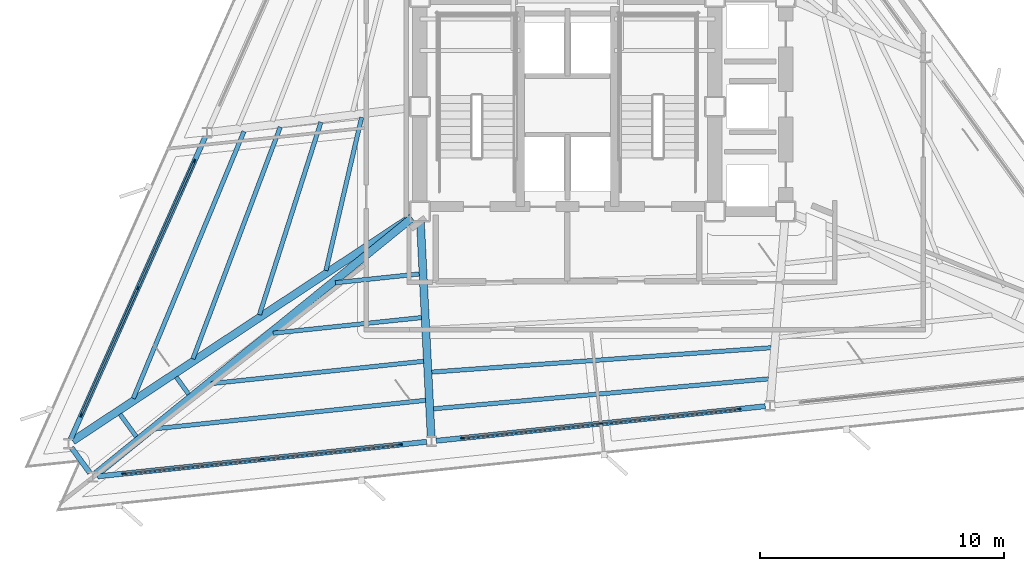
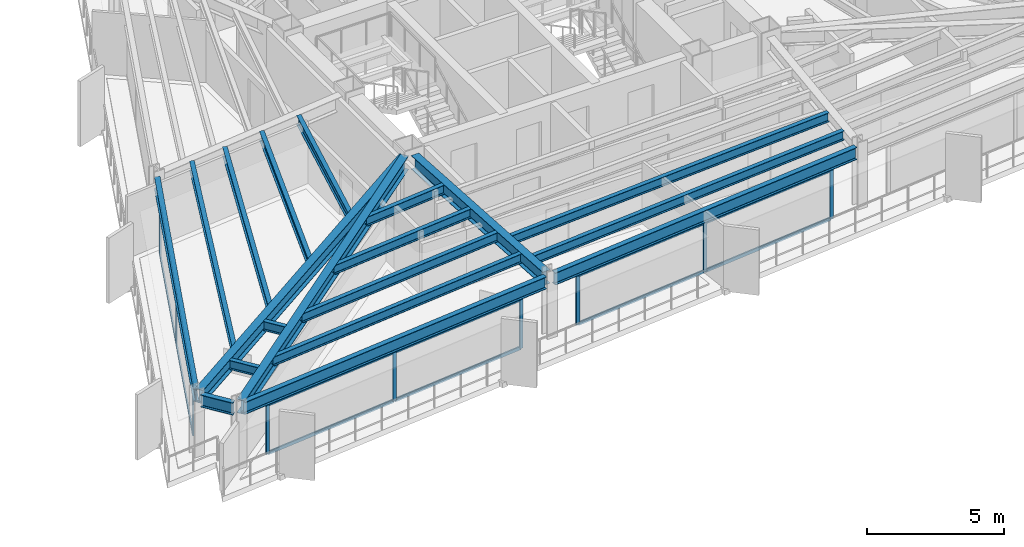
# One storey, part 2 of 12: 21 members, 19 beams, 3 elements without a shape of their own.
"""IFC4 building model written with IfcOpenShell, lengths in metres."""

from ifc_helpers import new_model, si_unit, direction, frame, origin, origin_2d, place, context, subcontext, project, spatial, rectangle, i_section, extrude, material, layer, layer_set, material_profile, profile_set, type_object, element, aggregate, save


model = new_model("IFC4")

# Units and contexts
model_context = context("Model", 3, precision=1e-05, world=origin(), true_north=direction((0.0, 1.0)))
body_context = subcontext(model_context, "Body", "Model", "MODEL_VIEW")
ifc_project = project(units=[si_unit("LENGTHUNIT", "METRE"), si_unit("AREAUNIT", "SQUARE_METRE"), si_unit("VOLUMEUNIT", "CUBIC_METRE"), si_unit("PLANEANGLEUNIT", "RADIAN"), si_unit("MASSUNIT", "GRAM", prefix="KILO")], contexts=[model_context])

# Site, building, storey
site_placement = place(None, origin())
site = spatial("IfcSite", under=ifc_project, at=site_placement, CompositionType="ELEMENT")
building_placement = place(site_placement, origin())
building = spatial("IfcBuilding", under=site, at=building_placement, Name="Rocaltana Carrier Exchange", CompositionType="ELEMENT")
storey_placement = place(building_placement, frame((0.0, 0.0, 107.679931640625)))
storey = spatial("IfcBuildingStorey", under=building, at=storey_placement, Name="L33", CompositionType="ELEMENT", Elevation=107.679931640625)

# Curtain wall, members
ifc_material_1 = material(Name="Aluminium 6063-T6", Category="aluminium")
ifc_layer = layer(ifc_material_1, 0.14990234375)
ifc_layer_set = layer_set([ifc_layer], Name="Aluminium 6063-T6")
curtain_wall_type = type_object("IfcCurtainWallType", Name="Mid-Tower Unitised Curtain Wall CW-03", PredefinedType="NOTDEFINED", material=ifc_layer_set)
curtain_wall_1_placement = place(storey_placement, origin())
curtain_wall_1 = element("IfcCurtainWall", 1, at=curtain_wall_1_placement, inside=storey, type_object=curtain_wall_type, Name="L33 CW-03 Run CW-L33-F2S3", PredefinedType="NOTDEFINED")
ifc_material_2 = material(Name="Aluminium 6063-T6", Category="aluminium")
ifc_material_profile_1 = material_profile(ifc_material_2, rectangle(XDim=0.06005859375, YDim=0.14990234375, at=origin_2d()), Name="AL-60X150")
ifc_profile_set_1 = profile_set([ifc_material_profile_1], Name="Aluminium 6063-T6")
member_type_1 = type_object("IfcMemberType", Name="CW-03 Mullion AL-60X150", PredefinedType="MULLION", material=ifc_profile_set_1)
member_1_placement = place(storey_placement, frame((-15.299560546875, -2.2333984375, 0.0), z_axis=(0.0, 0.0, 1.0), x_axis=(0.913547031517, -0.406733108077, 0.0)))
member_1 = element("IfcMember", 2, at=member_1_placement, type_object=member_type_1, Name="CW-03 mullion 1", PredefinedType="MULLION", context=body_context, shape_type="SweptSolid", body=[
    extrude(rectangle(XDim=0.06005859375, YDim=0.14990234375, at=origin_2d()), origin(), (0.0, 0.0, 1.0), 2.218017578125),
])
member_2_placement = place(storey_placement, frame((-17.619140625, -7.44384765625, 0.0), z_axis=(0.0, 0.0, 1.0), x_axis=(0.913547031517, -0.406733108077, 0.0)))
member_2 = element("IfcMember", 3, at=member_2_placement, type_object=member_type_1, Name="CW-03 mullion 2", PredefinedType="MULLION", context=body_context, shape_type="SweptSolid", body=[
    extrude(rectangle(XDim=0.06005859375, YDim=0.14990234375, at=origin_2d()), origin(), (0.0, 0.0, 1.0), 2.218017578125),
])
member_3_placement = place(storey_placement, frame((-19.93896484375, -12.654052734375, 0.0), z_axis=(0.0, 0.0, 1.0), x_axis=(0.913547031517, -0.406733108077, 0.0)))
member_3 = element("IfcMember", 4, at=member_3_placement, type_object=member_type_1, Name="CW-03 mullion 3", PredefinedType="MULLION", context=body_context, shape_type="SweptSolid", body=[
    extrude(rectangle(XDim=0.06005859375, YDim=0.14990234375, at=origin_2d()), origin(), (0.0, 0.0, 1.0), 2.218017578125),
])

curtain_wall_2_placement = place(storey_placement, origin())
curtain_wall_2 = element("IfcCurtainWall", 5, at=curtain_wall_2_placement, inside=storey, type_object=curtain_wall_type, Name="L33 CW-03 Run CW-L33-F3S1", PredefinedType="NOTDEFINED")
member_4_placement = place(storey_placement, frame((-18.196044921875, -15.052734375, 0.0), z_axis=(0.0, 0.0, 1.0), x_axis=(-0.104521806959, 0.994522594952, 0.0)))
member_4 = element("IfcMember", 6, at=member_4_placement, type_object=member_type_1, Name="CW-03 mullion 1", PredefinedType="MULLION", context=body_context, shape_type="SweptSolid", body=[
    extrude(rectangle(XDim=0.06005859375, YDim=0.14990234375, at=origin_2d()), origin(), (0.0, 0.0, 1.0), 2.218017578125),
])
member_5_placement = place(storey_placement, frame((-12.524169921875, -14.45654296875, 0.0), z_axis=(0.0, 0.0, 1.0), x_axis=(-0.104521806959, 0.994522594952, 0.0)))
member_5 = element("IfcMember", 7, at=member_5_placement, type_object=member_type_1, Name="CW-03 mullion 2", PredefinedType="MULLION", context=body_context, shape_type="SweptSolid", body=[
    extrude(rectangle(XDim=0.06005859375, YDim=0.14990234375, at=origin_2d()), origin(), (0.0, 0.0, 1.0), 2.218017578125),
])
member_6_placement = place(storey_placement, frame((-6.85205078125, -13.860595703125, 0.0), z_axis=(0.0, 0.0, 1.0), x_axis=(-0.104521806959, 0.994522594952, 0.0)))
member_6 = element("IfcMember", 8, at=member_6_placement, type_object=member_type_1, Name="CW-03 mullion 3", PredefinedType="MULLION", context=body_context, shape_type="SweptSolid", body=[
    extrude(rectangle(XDim=0.06005859375, YDim=0.14990234375, at=origin_2d()), origin(), (0.0, 0.0, 1.0), 2.218017578125),
])

curtain_wall_3_placement = place(storey_placement, origin())
curtain_wall_3 = element("IfcCurtainWall", 9, at=curtain_wall_3_placement, inside=storey, type_object=curtain_wall_type, Name="L33 CW-03 Run CW-L33-F3S2", PredefinedType="NOTDEFINED")
member_7_placement = place(storey_placement, frame((-4.30615234375, -13.5927734375, 0.0), z_axis=(0.0, 0.0, 1.0), x_axis=(-0.104529526113, 0.994521783658, 0.0)))
member_7 = element("IfcMember", 10, at=member_7_placement, type_object=member_type_1, Name="CW-03 mullion 1", PredefinedType="MULLION", context=body_context, shape_type="SweptSolid", body=[
    extrude(rectangle(XDim=0.06005859375, YDim=0.14990234375, at=origin_2d()), origin(), (0.0, 0.0, 1.0), 2.218017578125),
])
member_8_placement = place(storey_placement, frame((1.365966796875, -12.99658203125, 0.0), z_axis=(0.0, 0.0, 1.0), x_axis=(-0.104529526113, 0.994521783658, 0.0)))
member_8 = element("IfcMember", 11, at=member_8_placement, type_object=member_type_1, Name="CW-03 mullion 2", PredefinedType="MULLION", context=body_context, shape_type="SweptSolid", body=[
    extrude(rectangle(XDim=0.06005859375, YDim=0.14990234375, at=origin_2d()), origin(), (0.0, 0.0, 1.0), 2.218017578125),
])
member_9_placement = place(storey_placement, frame((7.0380859375, -12.400634765625, 0.0), z_axis=(0.0, 0.0, 1.0), x_axis=(-0.104529526113, 0.994521783658, 0.0)))
member_9 = element("IfcMember", 12, at=member_9_placement, type_object=member_type_1, Name="CW-03 mullion 3", PredefinedType="MULLION", context=body_context, shape_type="SweptSolid", body=[
    extrude(rectangle(XDim=0.06005859375, YDim=0.14990234375, at=origin_2d()), origin(), (0.0, 0.0, 1.0), 2.218017578125),
])

# Member
ifc_material_3 = material(Name="Aluminium 6063-T6", Category="aluminium")
ifc_material_profile_2 = material_profile(ifc_material_3, rectangle(XDim=0.06005859375, YDim=0.14990234375, at=origin_2d()), Name="AL-60X150")
ifc_profile_set_2 = profile_set([ifc_material_profile_2], Name="Aluminium 6063-T6")
member_type_2 = type_object("IfcMemberType", Name="CW-03 Transom AL-60X150", PredefinedType="USERDEFINED", material=ifc_profile_set_2)
member_10_placement = place(storey_placement, frame((-15.311767578125, -2.260986328125, 0.030029296875), z_axis=(-0.406704359788, -0.913559830405, 0.0), x_axis=(0.913559830405, -0.406704359788, 0.0)))
member_10 = element("IfcMember", 13, at=member_10_placement, type_object=member_type_2, Name="CW-03 transom 1.1", ObjectType="TRANSOM", PredefinedType="USERDEFINED", context=body_context, shape_type="SweptSolid", body=[
    extrude(rectangle(XDim=0.06005859375, YDim=0.14990234375, at=origin_2d()), origin(), (0.0, 0.0, 1.0), 5.643310546875),
])

member_11_placement = place(storey_placement, frame((-15.311767578125, -2.260986328125, 2.18798828125), z_axis=(-0.406704359788, -0.913559830405, 0.0), x_axis=(0.913559830405, -0.406704359788, 0.0)))
member_11 = element("IfcMember", 14, at=member_11_placement, type_object=member_type_2, Name="CW-03 transom 1.2", ObjectType="TRANSOM", PredefinedType="USERDEFINED", context=body_context, shape_type="SweptSolid", body=[
    extrude(rectangle(XDim=0.06005859375, YDim=0.14990234375, at=origin_2d()), origin(), (0.0, 0.0, 1.0), 5.643310546875),
])

member_12_placement = place(storey_placement, frame((-17.63134765625, -7.47119140625, 0.030029296875), z_axis=(-0.406740464784, -0.913543756099, 0.0), x_axis=(0.913543756099, -0.406740464784, 0.0)))
member_12 = element("IfcMember", 15, at=member_12_placement, type_object=member_type_2, Name="CW-03 transom 2.1", ObjectType="TRANSOM", PredefinedType="USERDEFINED", context=body_context, shape_type="SweptSolid", body=[
    extrude(rectangle(XDim=0.06005859375, YDim=0.14990234375, at=origin_2d()), origin(), (0.0, 0.0, 1.0), 5.643310546875),
])

member_13_placement = place(storey_placement, frame((-17.63134765625, -7.47119140625, 2.18798828125), z_axis=(-0.406740464784, -0.913543756099, 0.0), x_axis=(0.913543756099, -0.406740464784, 0.0)))
member_13 = element("IfcMember", 16, at=member_13_placement, type_object=member_type_2, Name="CW-03 transom 2.2", ObjectType="TRANSOM", PredefinedType="USERDEFINED", context=body_context, shape_type="SweptSolid", body=[
    extrude(rectangle(XDim=0.06005859375, YDim=0.14990234375, at=origin_2d()), origin(), (0.0, 0.0, 1.0), 5.643310546875),
])

aggregate(curtain_wall_1, [member_1, member_2, member_3, member_10, member_11, member_12, member_13])

member_14_placement = place(storey_placement, frame((-18.166259765625, -15.049560546875, 0.030029296875), z_axis=(0.99452250772, 0.104522636969, 0.0), x_axis=(-0.104522636969, 0.99452250772, 0.0)))
member_14 = element("IfcMember", 17, at=member_14_placement, type_object=member_type_2, Name="CW-03 transom 1.1", ObjectType="TRANSOM", PredefinedType="USERDEFINED", context=body_context, shape_type="SweptSolid", body=[
    extrude(rectangle(XDim=0.06005859375, YDim=0.14990234375, at=origin_2d()), origin(), (0.0, 0.0, 1.0), 5.643310546875),
])

member_15_placement = place(storey_placement, frame((-18.166259765625, -15.049560546875, 2.18798828125), z_axis=(0.99452250772, 0.104522636969, 0.0), x_axis=(-0.104522636969, 0.99452250772, 0.0)))
member_15 = element("IfcMember", 18, at=member_15_placement, type_object=member_type_2, Name="CW-03 transom 1.2", ObjectType="TRANSOM", PredefinedType="USERDEFINED", context=body_context, shape_type="SweptSolid", body=[
    extrude(rectangle(XDim=0.06005859375, YDim=0.14990234375, at=origin_2d()), origin(), (0.0, 0.0, 1.0), 5.643310546875),
])

member_16_placement = place(storey_placement, frame((-12.494384765625, -14.45361328125, 0.030029296875), z_axis=(0.99452250772, 0.104522636969, 0.0), x_axis=(-0.104522636969, 0.99452250772, 0.0)))
member_16 = element("IfcMember", 19, at=member_16_placement, type_object=member_type_2, Name="CW-03 transom 2.1", ObjectType="TRANSOM", PredefinedType="USERDEFINED", context=body_context, shape_type="SweptSolid", body=[
    extrude(rectangle(XDim=0.06005859375, YDim=0.14990234375, at=origin_2d()), origin(), (0.0, 0.0, 1.0), 5.643310546875),
])

member_17_placement = place(storey_placement, frame((-12.494384765625, -14.45361328125, 2.18798828125), z_axis=(0.99452250772, 0.104522636969, 0.0), x_axis=(-0.104522636969, 0.99452250772, 0.0)))
member_17 = element("IfcMember", 20, at=member_17_placement, type_object=member_type_2, Name="CW-03 transom 2.2", ObjectType="TRANSOM", PredefinedType="USERDEFINED", context=body_context, shape_type="SweptSolid", body=[
    extrude(rectangle(XDim=0.06005859375, YDim=0.14990234375, at=origin_2d()), origin(), (0.0, 0.0, 1.0), 5.643310546875),
])

aggregate(curtain_wall_2, [member_4, member_5, member_6, member_14, member_15, member_16, member_17])

member_18_placement = place(storey_placement, frame((-4.276123046875, -13.58984375, 0.030029296875), z_axis=(0.994518009659, 0.104565426716, 0.0), x_axis=(-0.104565426716, 0.994518009659, 0.0)))
member_18 = element("IfcMember", 21, at=member_18_placement, type_object=member_type_2, Name="CW-03 transom 1.1", ObjectType="TRANSOM", PredefinedType="USERDEFINED", context=body_context, shape_type="SweptSolid", body=[
    extrude(rectangle(XDim=0.06005859375, YDim=0.14990234375, at=origin_2d()), origin(), (0.0, 0.0, 1.0), 5.643310546875),
])

member_19_placement = place(storey_placement, frame((-4.276123046875, -13.58984375, 2.18798828125), z_axis=(0.994518009659, 0.104565426716, 0.0), x_axis=(-0.104565426716, 0.994518009659, 0.0)))
member_19 = element("IfcMember", 22, at=member_19_placement, type_object=member_type_2, Name="CW-03 transom 1.2", ObjectType="TRANSOM", PredefinedType="USERDEFINED", context=body_context, shape_type="SweptSolid", body=[
    extrude(rectangle(XDim=0.06005859375, YDim=0.14990234375, at=origin_2d()), origin(), (0.0, 0.0, 1.0), 5.643310546875),
])

member_20_placement = place(storey_placement, frame((1.395751953125, -12.99365234375, 0.030029296875), z_axis=(0.994518482657, 0.104560927947, 0.0), x_axis=(-0.104560927947, 0.994518482657, 0.0)))
member_20 = element("IfcMember", 23, at=member_20_placement, type_object=member_type_2, Name="CW-03 transom 2.1", ObjectType="TRANSOM", PredefinedType="USERDEFINED", context=body_context, shape_type="SweptSolid", body=[
    extrude(rectangle(XDim=0.06005859375, YDim=0.14990234375, at=origin_2d()), origin(), (0.0, 0.0, 1.0), 5.6435546875),
])

member_21_placement = place(storey_placement, frame((1.395751953125, -12.99365234375, 2.18798828125), z_axis=(0.994518482657, 0.104560927947, 0.0), x_axis=(-0.104560927947, 0.994518482657, 0.0)))
member_21 = element("IfcMember", 24, at=member_21_placement, type_object=member_type_2, Name="CW-03 transom 2.2", ObjectType="TRANSOM", PredefinedType="USERDEFINED", context=body_context, shape_type="SweptSolid", body=[
    extrude(rectangle(XDim=0.06005859375, YDim=0.14990234375, at=origin_2d()), origin(), (0.0, 0.0, 1.0), 5.6435546875),
])

aggregate(curtain_wall_3, [member_7, member_8, member_9, member_18, member_19, member_20, member_21])

# Beams
ifc_material_4 = material(Name="Steel S355", Category="steel")
ifc_material_profile_3 = material_profile(ifc_material_4, i_section(OverallWidth=0.179931640625, OverallDepth=0.4130859375, WebThickness=0.009765625, FlangeThickness=0.01611328125, FilletRadius=0.012939453125, at=origin_2d()), Name="W16X50")
ifc_profile_set_3 = profile_set([ifc_material_profile_3], Name="Steel S355")
beam_type_1 = type_object("IfcBeamType", Name="Floor Joist W16X50", PredefinedType="JOIST", material=ifc_profile_set_3)
beam_1_placement = place(storey_placement, frame((-8.442138671875, -0.439208984375, 2.58154296875), z_axis=(-0.22689687838, -0.973918788494, 0.0), x_axis=(0.973918788494, -0.22689687838, 0.0)))
element("IfcBeam", 25, at=beam_1_placement, inside=storey, type_object=beam_type_1, Name="FJ-L33-07-1", PredefinedType="JOIST", context=body_context, shape_type="SweptSolid", body=[
    extrude(i_section(OverallWidth=0.179931640625, OverallDepth=0.4130859375, WebThickness=0.009765625, FlangeThickness=0.01611328125, FilletRadius=0.012939453125, at=origin_2d()), origin(), (0.0, 0.0, 1.0), 6.448486328125),
])
beam_2_placement = place(storey_placement, frame((-10.11279296875, -0.63818359375, 2.58154296875), z_axis=(-0.303932068728, -0.952693706077, 0.0), x_axis=(0.952693706077, -0.303932068728, 0.0)))
element("IfcBeam", 26, at=beam_2_placement, inside=storey, type_object=beam_type_1, Name="FJ-L33-07-2", PredefinedType="JOIST", context=body_context, shape_type="SweptSolid", body=[
    extrude(i_section(OverallWidth=0.179931640625, OverallDepth=0.4130859375, WebThickness=0.009765625, FlangeThickness=0.01611328125, FilletRadius=0.012939453125, at=origin_2d()), origin(), (0.0, 0.0, 1.0), 8.285888671875),
])
beam_3_placement = place(storey_placement, frame((-11.77880859375, -0.837646484375, 2.58154296875), z_axis=(-0.352616248734, -0.935768016727, 0.0), x_axis=(0.935768016727, -0.352616248734, 0.0)))
element("IfcBeam", 27, at=beam_3_placement, inside=storey, type_object=beam_type_1, Name="FJ-L33-07-3", PredefinedType="JOIST", context=body_context, shape_type="SweptSolid", body=[
    extrude(i_section(OverallWidth=0.179931640625, OverallDepth=0.4130859375, WebThickness=0.009765625, FlangeThickness=0.01611328125, FilletRadius=0.012939453125, at=origin_2d()), origin(), (0.0, 0.0, 1.0), 10.1591796875),
])
beam_4_placement = place(storey_placement, frame((-13.267333984375, -1.016845703125, 2.58154296875), z_axis=(-0.382964861888, -0.923762910361, 0.0), x_axis=(0.923762910361, -0.382964861888, 0.0)))
element("IfcBeam", 28, at=beam_4_placement, inside=storey, type_object=beam_type_1, Name="FJ-L33-07-4", PredefinedType="JOIST", context=body_context, shape_type="SweptSolid", body=[
    extrude(i_section(OverallWidth=0.179931640625, OverallDepth=0.4130859375, WebThickness=0.009765625, FlangeThickness=0.01611328125, FilletRadius=0.012939453125, at=origin_2d()), origin(), (0.0, 0.0, 1.0), 11.851806640625),
])
beam_5_placement = place(storey_placement, frame((-16.044921875, -11.092529296875, 2.58154296875), z_axis=(0.587636081789, -0.80912535208, 0.0), x_axis=(0.80912535208, 0.587636081789, 0.0)))
element("IfcBeam", 29, at=beam_5_placement, inside=storey, type_object=beam_type_1, Name="FJ-L33-08-3", PredefinedType="JOIST", context=body_context, shape_type="SweptSolid", body=[
    extrude(i_section(OverallWidth=0.179931640625, OverallDepth=0.4130859375, WebThickness=0.009765625, FlangeThickness=0.01611328125, FilletRadius=0.012939453125, at=origin_2d()), origin(), (0.0, 0.0, 1.0), 0.867431640625),
])
beam_6_placement = place(storey_placement, frame((-18.3505859375, -12.6162109375, 2.58154296875), z_axis=(0.587737652756, -0.809051575323, 0.0), x_axis=(0.809051575323, 0.587737652756, 0.0)))
element("IfcBeam", 30, at=beam_6_placement, inside=storey, type_object=beam_type_1, Name="FJ-L33-08-4", PredefinedType="JOIST", context=body_context, shape_type="SweptSolid", body=[
    extrude(i_section(OverallWidth=0.179931640625, OverallDepth=0.4130859375, WebThickness=0.009765625, FlangeThickness=0.01611328125, FilletRadius=0.012939453125, at=origin_2d()), origin(), (0.0, 0.0, 1.0), 1.137451171875),
])
beam_7_placement = place(storey_placement, frame((-9.51806640625, -7.22314453125, 2.58154296875), z_axis=(0.994522069836, 0.104526803309, 0.0), x_axis=(-0.104526803309, 0.994522069836, 0.0)))
element("IfcBeam", 31, at=beam_7_placement, inside=storey, type_object=beam_type_1, Name="FJ-L33-09-1", PredefinedType="JOIST", context=body_context, shape_type="SweptSolid", body=[
    extrude(i_section(OverallWidth=0.179931640625, OverallDepth=0.4130859375, WebThickness=0.009765625, FlangeThickness=0.01611328125, FilletRadius=0.012939453125, at=origin_2d()), origin(), (0.0, 0.0, 1.0), 3.459228515625),
])
beam_8_placement = place(storey_placement, frame((-12.067626953125, -9.29150390625, 2.58154296875), z_axis=(0.994522291709, 0.104524692265, 0.0), x_axis=(-0.104524692265, 0.994522291709, 0.0)))
element("IfcBeam", 32, at=beam_8_placement, inside=storey, type_object=beam_type_1, Name="FJ-L33-09-2", PredefinedType="JOIST", context=body_context, shape_type="SweptSolid", body=[
    extrude(i_section(OverallWidth=0.179931640625, OverallDepth=0.4130859375, WebThickness=0.009765625, FlangeThickness=0.01611328125, FilletRadius=0.012939453125, at=origin_2d()), origin(), (0.0, 0.0, 1.0), 6.112548828125),
])
beam_9_placement = place(storey_placement, frame((-14.6171875, -11.360107421875, 2.58154296875), z_axis=(0.994519483766, 0.104551405586, 0.0), x_axis=(-0.104551405586, 0.994519483766, 0.0)))
element("IfcBeam", 33, at=beam_9_placement, inside=storey, type_object=beam_type_1, Name="FJ-L33-09-3", PredefinedType="JOIST", context=body_context, shape_type="SweptSolid", body=[
    extrude(i_section(OverallWidth=0.179931640625, OverallDepth=0.4130859375, WebThickness=0.009765625, FlangeThickness=0.01611328125, FilletRadius=0.012939453125, at=origin_2d()), origin(), (0.0, 0.0, 1.0), 8.76611328125),
])
beam_10_placement = place(storey_placement, frame((-16.898681640625, -13.210693359375, 2.58154296875), z_axis=(0.994521531783, 0.104531922494, 0.0), x_axis=(-0.104531922494, 0.994521531783, 0.0)))
element("IfcBeam", 34, at=beam_10_placement, inside=storey, type_object=beam_type_1, Name="FJ-L33-09-4", PredefinedType="JOIST", context=body_context, shape_type="SweptSolid", body=[
    extrude(i_section(OverallWidth=0.179931640625, OverallDepth=0.4130859375, WebThickness=0.009765625, FlangeThickness=0.01611328125, FilletRadius=0.012939453125, at=origin_2d()), origin(), (0.0, 0.0, 1.0), 11.140625),
])
beam_11_placement = place(storey_placement, frame((-5.564697265625, -10.887451171875, 2.58154296875), z_axis=(0.99742902588, 0.071661274976, 0.0), x_axis=(-0.071661274976, 0.99742902588, 0.0)))
element("IfcBeam", 35, at=beam_11_placement, inside=storey, type_object=beam_type_1, Name="FJ-L33-10-3", PredefinedType="JOIST", context=body_context, shape_type="SweptSolid", body=[
    extrude(i_section(OverallWidth=0.179931640625, OverallDepth=0.4130859375, WebThickness=0.009765625, FlangeThickness=0.01611328125, FilletRadius=0.012939453125, at=origin_2d()), origin(), (0.0, 0.0, 1.0), 13.94775390625),
])
beam_12_placement = place(storey_placement, frame((-5.489501953125, -12.39306640625, 2.58154296875), z_axis=(0.996028205835, 0.089038268076, 0.0), x_axis=(-0.089038268076, 0.996028205835, 0.0)))
element("IfcBeam", 36, at=beam_12_placement, inside=storey, type_object=beam_type_1, Name="FJ-L33-10-4", PredefinedType="JOIST", context=body_context, shape_type="SweptSolid", body=[
    extrude(i_section(OverallWidth=0.179931640625, OverallDepth=0.4130859375, WebThickness=0.009765625, FlangeThickness=0.01611328125, FilletRadius=0.012939453125, at=origin_2d()), origin(), (0.0, 0.0, 1.0), 13.789306640625),
])
ifc_material_5 = material(Name="Steel S355", Category="steel")
ifc_material_profile_4 = material_profile(ifc_material_5, i_section(OverallWidth=0.323974609375, OverallDepth=0.611083984375, WebThickness=0.0126953125, FlangeThickness=0.01904296875, FilletRadius=0.01611328125, at=origin_2d()), Name="W24X104")
ifc_profile_set_4 = profile_set([ifc_material_profile_4], Name="Steel S355")
beam_type_2 = type_object("IfcBeamType", Name="Radial Girder W24X104", PredefinedType="BEAM", material=ifc_profile_set_4)
beam_13_placement = place(storey_placement, frame((-6.39794921875, -4.52978515625, 2.482666015625), z_axis=(-0.83426019766, -0.551370948274, 0.0), x_axis=(0.551370948274, -0.83426019766, 0.0)))
element("IfcBeam", 37, at=beam_13_placement, inside=storey, type_object=beam_type_2, Name="RG-L33-08", PredefinedType="BEAM", context=body_context, shape_type="SweptSolid", body=[
    extrude(i_section(OverallWidth=0.323974609375, OverallDepth=0.611083984375, WebThickness=0.0126953125, FlangeThickness=0.01904296875, FilletRadius=0.01611328125, at=origin_2d()), origin(), (0.0, 0.0, 1.0), 16.6572265625),
])
beam_14_placement = place(storey_placement, frame((-6.373779296875, -4.562744140625, 2.482666015625), z_axis=(-0.776578485368, -0.630020520351, 0.0), x_axis=(0.630020520351, -0.776578485368, 0.0)))
element("IfcBeam", 38, at=beam_14_placement, inside=storey, type_object=beam_type_2, Name="RG-L33-09", PredefinedType="BEAM", context=body_context, shape_type="SweptSolid", body=[
    extrude(i_section(OverallWidth=0.323974609375, OverallDepth=0.611083984375, WebThickness=0.0126953125, FlangeThickness=0.01904296875, FilletRadius=0.01611328125, at=origin_2d()), origin(), (0.0, 0.0, 1.0), 16.6650390625),
])
beam_15_placement = place(storey_placement, frame((-6.029296875, -4.716552734375, 2.482666015625), z_axis=(0.049889314845, -0.998754752812, 0.0), x_axis=(0.998754752812, 0.049889314845, 0.0)))
element("IfcBeam", 39, at=beam_15_placement, inside=storey, type_object=beam_type_2, Name="RG-L33-10", PredefinedType="BEAM", context=body_context, shape_type="SweptSolid", body=[
    extrude(i_section(OverallWidth=0.323974609375, OverallDepth=0.611083984375, WebThickness=0.0126953125, FlangeThickness=0.01904296875, FilletRadius=0.01611328125, at=origin_2d()), origin(), (0.0, 0.0, 1.0), 8.8232421875),
])
ifc_material_6 = material(Name="Steel S355", Category="steel")
ifc_material_profile_5 = material_profile(ifc_material_6, i_section(OverallWidth=0.2119140625, OverallDepth=0.5439453125, WebThickness=0.01318359375, FlangeThickness=0.021240234375, FilletRadius=0.014892578125, at=origin_2d()), Name="W21X83")
ifc_profile_set_5 = profile_set([ifc_material_profile_5], Name="Steel S355")
beam_type_3 = type_object("IfcBeamType", Name="Spandrel Edge Beam W21X83", PredefinedType="SPANDREL", material=ifc_profile_set_5)
beam_16_placement = place(storey_placement, frame((-14.859375, -1.2451171875, 2.51611328125), z_axis=(-0.406740957499, -0.913543536725, 0.0), x_axis=(0.913543536725, -0.406740957499, 0.0)))
element("IfcBeam", 40, at=beam_16_placement, inside=storey, type_object=beam_type_3, Name="SP-L33-07", PredefinedType="SPANDREL", context=body_context, shape_type="SweptSolid", body=[
    extrude(i_section(OverallWidth=0.2119140625, OverallDepth=0.5439453125, WebThickness=0.01318359375, FlangeThickness=0.021240234375, FilletRadius=0.014892578125, at=origin_2d()), origin(), (0.0, 0.0, 1.0), 13.57080078125),
])
beam_17_placement = place(storey_placement, frame((-20.34326171875, -13.983642578125, 2.51611328125), z_axis=(0.58777742462, -0.809022681454, 0.0), x_axis=(0.809022681454, 0.58777742462, 0.0)))
element("IfcBeam", 41, at=beam_17_placement, inside=storey, type_object=beam_type_3, Name="SP-L33-08", PredefinedType="SPANDREL", context=body_context, shape_type="SweptSolid", body=[
    extrude(i_section(OverallWidth=0.2119140625, OverallDepth=0.5439453125, WebThickness=0.01318359375, FlangeThickness=0.021240234375, FilletRadius=0.014892578125, at=origin_2d()), origin(), (0.0, 0.0, 1.0), 1.288818359375),
])
for number, where, z_axis, x_axis, name in (
    (42, (-19.272216796875, -15.166015625, 2.51611328125), (0.99452052486, 0.104541501962, 0.0), (-0.104541501962, 0.99452052486, 0.0), "SP-L33-09"),
    (43, (-5.382080078125, -13.7060546875, 2.51611328125), (0.99452052486, 0.104541501962, 0.0), (-0.104541501962, 0.99452052486, 0.0), "SP-L33-10"),
):
    element("IfcBeam", number, at=place(storey_placement, frame(where, z_axis=z_axis, x_axis=x_axis)), inside=storey, type_object=beam_type_3, Name=name, PredefinedType="SPANDREL", context=body_context, shape_type="SweptSolid", body=[
        extrude(i_section(OverallWidth=0.2119140625, OverallDepth=0.5439453125, WebThickness=0.01318359375, FlangeThickness=0.021240234375, FilletRadius=0.014892578125, at=origin_2d()), origin(), (0.0, 0.0, 1.0), 13.57080078125),
    ])

save(model, "model.ifc")
